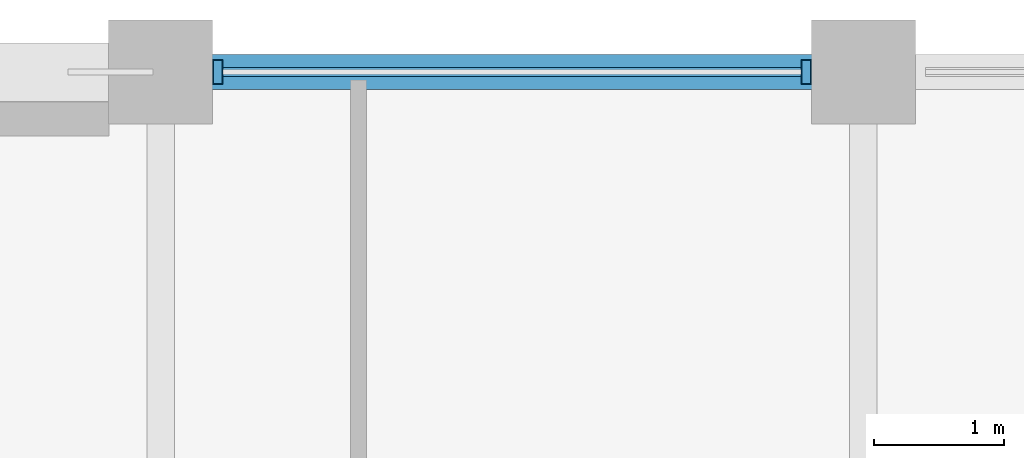
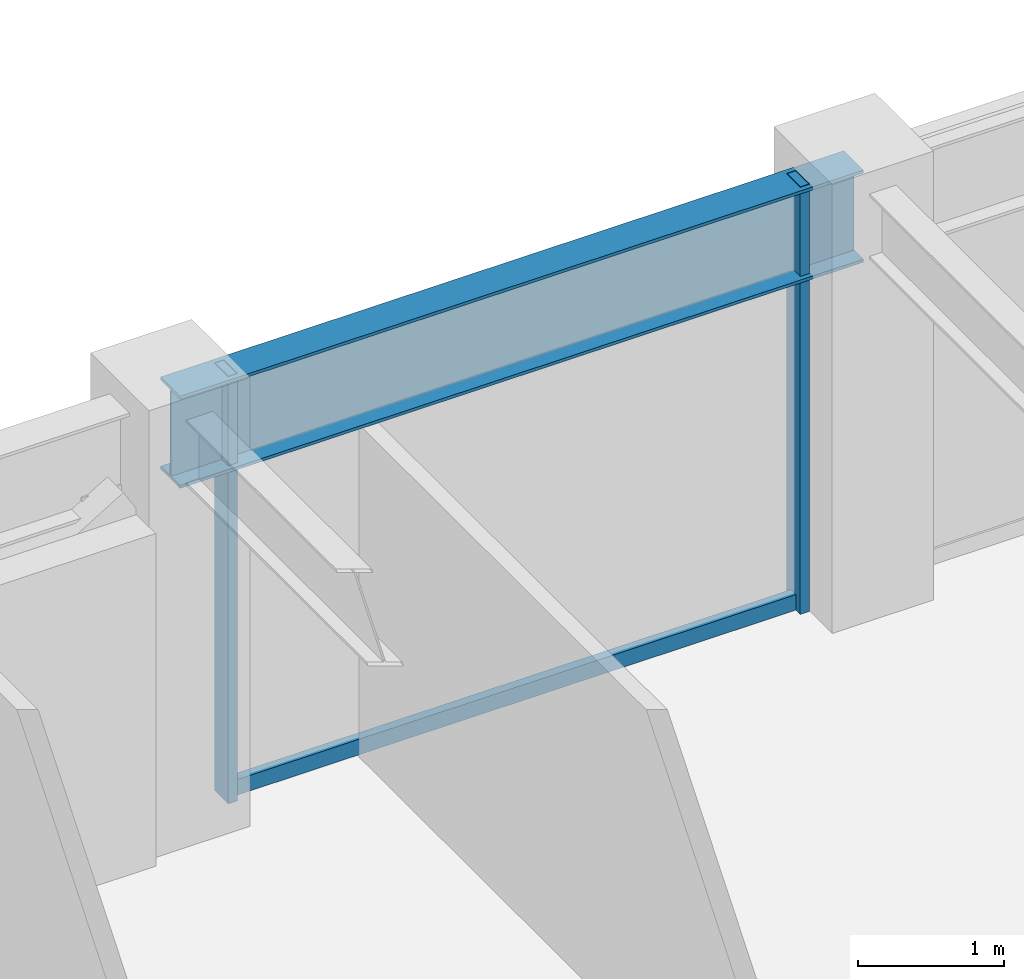
# One storey, part 23 of 32: 3 members, 1 beam, 1 element without a shape of its own.
"""IFC4 building model written with IfcOpenShell, lengths in metres."""

from ifc_helpers import new_model, si_unit, direction, frame, origin, origin_2d, place, context, subcontext, project, spatial, hollow_rectangle, i_section, extrude, material, layer, layer_set, material_profile, profile_set, type_object, element, aggregate, save


model = new_model("IFC4")

# Units and contexts
model_context = context("Model", 3, precision=1e-05, world=origin(), true_north=direction((0.0, 1.0)))
body_context = subcontext(model_context, "Body", "Model", "MODEL_VIEW")
ifc_project = project(units=[si_unit("LENGTHUNIT", "METRE"), si_unit("AREAUNIT", "SQUARE_METRE"), si_unit("VOLUMEUNIT", "CUBIC_METRE"), si_unit("PLANEANGLEUNIT", "RADIAN"), si_unit("MASSUNIT", "GRAM", prefix="KILO")], contexts=[model_context])

# Site, building, storey
site_placement = place(None, origin())
site = spatial("IfcSite", under=ifc_project, at=site_placement, CompositionType="ELEMENT")
building_placement = place(site_placement, origin())
building = spatial("IfcBuilding", under=site, at=building_placement, Name="Surkhivell Harbour Commons", CompositionType="ELEMENT")
storey_placement = place(building_placement, frame((0.0, 0.0, 216.0)))
storey = spatial("IfcBuildingStorey", under=building, at=storey_placement, Name="L56", CompositionType="ELEMENT", Elevation=216.0)

# Beam
ifc_material_1 = material(Name="Steel S355", Category="steel")
ifc_material_profile_1 = material_profile(ifc_material_1, i_section(OverallWidth=0.26806640625, OverallDepth=0.77001953125, WebThickness=0.015625, FlangeThickness=0.025390625, at=origin_2d()), Name="UB762x267x197")
ifc_profile_set_1 = profile_set([ifc_material_profile_1], Name="Steel S355")
beam_type = type_object("IfcBeamType", Name="BM-SPN-762", PredefinedType="SPANDREL", material=ifc_profile_set_1)
beam_placement = place(storey_placement, frame((5.39990234375, 25.89990234375, 3.18505859375), z_axis=(1.0, 0.0, 0.0), x_axis=(0.0, 1.0, 0.0)))
element("IfcBeam", 1, at=beam_placement, inside=storey, type_object=beam_type, Name="L56 Tube Spandrel (5.4,25.9)", PredefinedType="SPANDREL", context=body_context, shape_type="SweptSolid", body=[
    extrude(i_section(OverallWidth=0.26806640625, OverallDepth=0.77001953125, WebThickness=0.015625, FlangeThickness=0.025390625, at=origin_2d()), origin(), (0.0, 0.0, 1.0), 5.400146484375),
])

# Curtain wall, members
ifc_material_2 = material(Name="Anodised pale-metal aluminium and insulated glazing", Category="aluminium")
ifc_layer = layer(ifc_material_2, 0.18994140625)
ifc_layer_set = layer_set([ifc_layer], Name="Anodised pale-metal aluminium and insulated glazing")
curtain_wall_type = type_object("IfcCurtainWallType", Name="CW-SYS-Z3", PredefinedType="NOTDEFINED", material=ifc_layer_set)
curtain_wall_placement = place(storey_placement, origin())
curtain_wall = element("IfcCurtainWall", 2, at=curtain_wall_placement, inside=storey, type_object=curtain_wall_type, Name="L56 Curtain Wall CW-L56-E07S1", PredefinedType="NOTDEFINED")
ifc_material_3 = material(Name="Anodised pale-metal aluminium alloy 6063-T6", Category="aluminium")
ifc_material_profile_2 = material_profile(ifc_material_3, hollow_rectangle(XDim=0.074951171875, YDim=0.18994140625, WallThickness=0.00390625, at=origin_2d()), Name="ALU-MULL-75x190")
ifc_profile_set_2 = profile_set([ifc_material_profile_2], Name="Anodised pale-metal aluminium alloy 6063-T6")
member_type_1 = type_object("IfcMemberType", Name="CWM-190", PredefinedType="MULLION", material=ifc_profile_set_2)
member_1_placement = place(storey_placement, frame((10.360595703125, 25.89990234375, 0.0), z_axis=(0.0, 0.0, 1.0), x_axis=(-1.0, 0.0, 0.0)))
member_1 = element("IfcMember", 3, at=member_1_placement, type_object=member_type_1, Name="CW-Z3 mullion 2", PredefinedType="MULLION", context=body_context, shape_type="SweptSolid", body=[
    extrude(hollow_rectangle(XDim=0.074951171875, YDim=0.18994140625, WallThickness=0.00390625, at=origin_2d()), origin(), (0.0, 0.0, 1.0), 3.570068359375),
])
member_2_placement = place(storey_placement, frame((5.839599609375, 25.89990234375, 0.0), z_axis=(0.0, 0.0, 1.0), x_axis=(-1.0, 0.0, 0.0)))
member_2 = element("IfcMember", 4, at=member_2_placement, type_object=member_type_1, Name="CW-Z3 mullion 3", PredefinedType="MULLION", context=body_context, shape_type="SweptSolid", body=[
    extrude(hollow_rectangle(XDim=0.074951171875, YDim=0.18994140625, WallThickness=0.00390625, at=origin_2d()), origin(), (0.0, 0.0, 1.0), 3.570068359375),
])
ifc_material_4 = material(Name="Champagne anodised aluminium alloy 6063-T6", Category="aluminium")
ifc_material_profile_3 = material_profile(ifc_material_4, hollow_rectangle(XDim=0.070068359375, YDim=0.1298828125, WallThickness=0.00341796875, at=origin_2d()), Name="ALU-TRAN-70x130")
ifc_profile_set_3 = profile_set([ifc_material_profile_3], Name="Champagne anodised aluminium alloy 6063-T6")
member_type_2 = type_object("IfcMemberType", Name="CWT-130", PredefinedType="USERDEFINED", material=ifc_profile_set_3)
member_3_placement = place(storey_placement, frame((10.322998046875, 25.89990234375, 0.06494140625), z_axis=(-1.0, 0.0, 0.0), x_axis=(0.0, -1.0, 0.0)))
member_3 = element("IfcMember", 5, at=member_3_placement, type_object=member_type_2, Name="CW-Z3 transom 2.1", ObjectType="TRANSOM", PredefinedType="USERDEFINED", context=body_context, shape_type="SweptSolid", body=[
    extrude(hollow_rectangle(XDim=0.070068359375, YDim=0.1298828125, WallThickness=0.00341796875, at=origin_2d()), origin(), (0.0, 0.0, 1.0), 4.446044921875),
])
aggregate(curtain_wall, [member_1, member_2, member_3])

save(model, "model.ifc")
